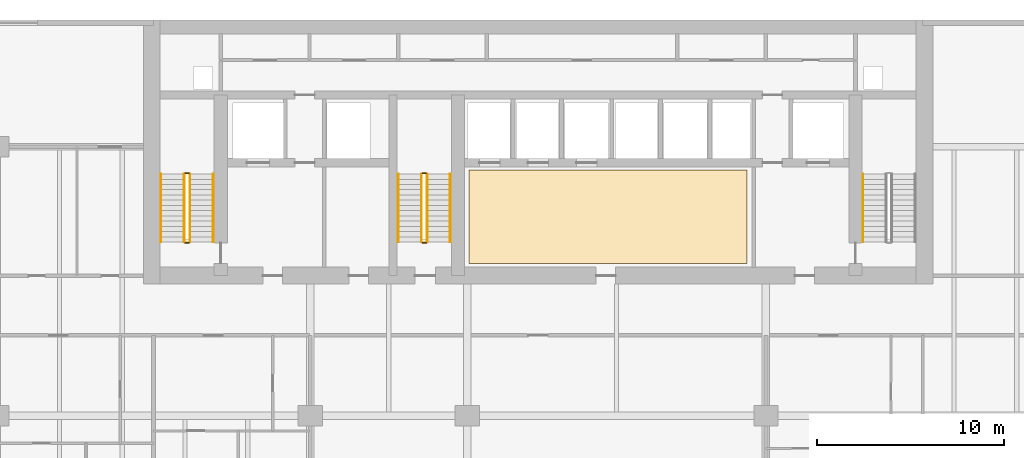
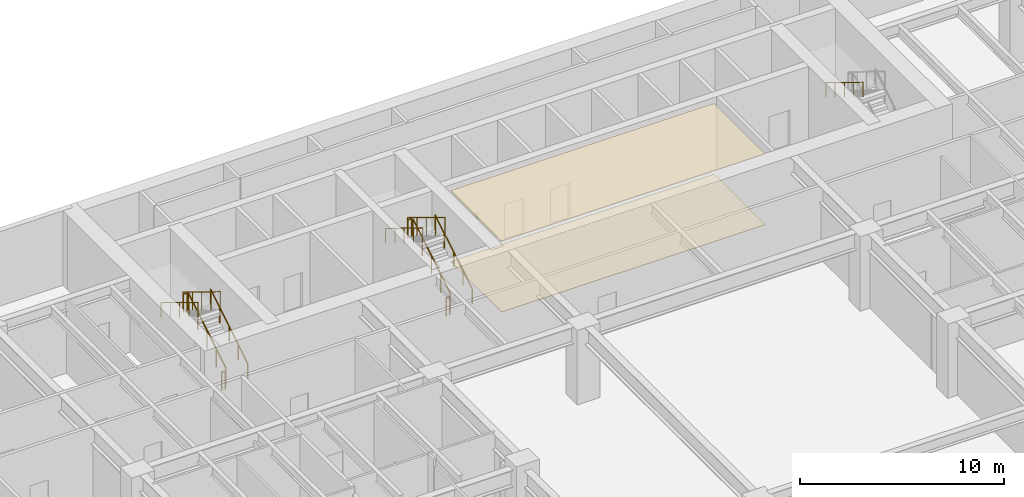
# One storey, part 12 of 13: 13 railings, 2 coverings.
"""IFC4 building model written with IfcOpenShell, lengths in metres."""

from ifc_helpers import new_model, si_unit, direction, frame, origin, origin_2d, place, context, subcontext, project, spatial, polyline, circle, outline, extrude, material, layer, layer_set, type_object, element, save


model = new_model("IFC4")

# Units and contexts
model_context = context("Model", 3, precision=1e-05, world=origin(), true_north=direction((0.0, 1.0)))
body_context = subcontext(model_context, "Body", "Model", "MODEL_VIEW")
ifc_project = project(units=[si_unit("LENGTHUNIT", "METRE"), si_unit("AREAUNIT", "SQUARE_METRE"), si_unit("VOLUMEUNIT", "CUBIC_METRE"), si_unit("PLANEANGLEUNIT", "RADIAN"), si_unit("MASSUNIT", "GRAM", prefix="KILO")], contexts=[model_context])

# Site, building, storey
site_placement = place(None, origin())
site = spatial("IfcSite", under=ifc_project, at=site_placement, CompositionType="ELEMENT")
building_placement = place(site_placement, origin())
building = spatial("IfcBuilding", under=site, at=building_placement, Name="Caelmar Bay Residences", CompositionType="ELEMENT")
storey_placement = place(building_placement, frame((0.0, 0.0, 19.800048828125)))
storey = spatial("IfcBuildingStorey", under=building, at=storey_placement, Name="L04", CompositionType="ELEMENT", Elevation=19.800048828125)

# Coverings
ifc_material_1 = material(Name="Perforated acoustic gypsum-mineral ceiling tile 20 mm")
ifc_layer_1 = layer(ifc_material_1, 0.02001953125)
ifc_layer_set_1 = layer_set([ifc_layer_1], Name="Perforated acoustic gypsum-mineral ceiling tile 20 mm")
covering_type_1 = type_object("IfcCoveringType", Name="COV-CEIL-20", PredefinedType="CEILING", material=ifc_layer_set_1)
covering_1_placement = place(storey_placement, frame((0.0, 0.0, 4.22998046875)))
element("IfcCovering", 1, at=covering_1_placement, inside=storey, type_object=covering_type_1, Name="L04 Lift Lobby Acoustic Ceiling", PredefinedType="CEILING", context=body_context, shape_type="SweptSolid", body=[
    extrude(outline(polyline([(35.199951171875, 37.550048828125), (50.10009765625, 37.550048828125), (50.10009765625, 42.550048828125), (35.199951171875, 42.550048828125), (35.199951171875, 37.550048828125)])), origin(), (0.0, 0.0, 1.0), 0.02001953125),
])
ifc_material_2 = material(Name="Honed terrazzo and engineered white-oak flooring 20 mm")
ifc_layer_2 = layer(ifc_material_2, 0.02001953125)
ifc_layer_set_2 = layer_set([ifc_layer_2], Name="Honed terrazzo and engineered white-oak flooring 20 mm")
covering_type_2 = type_object("IfcCoveringType", Name="COV-FLR-20", PredefinedType="FLOORING", material=ifc_layer_set_2)
covering_2_placement = place(storey_placement, origin())
element("IfcCovering", 2, at=covering_2_placement, inside=storey, type_object=covering_type_2, Name="L04 Lift Lobby Terrazzo Flooring", PredefinedType="FLOORING", context=body_context, shape_type="SweptSolid", body=[
    extrude(outline(polyline([(35.199951171875, 37.550048828125), (50.10009765625, 37.550048828125), (50.10009765625, 42.550048828125), (35.199951171875, 42.550048828125), (35.199951171875, 37.550048828125)])), origin(), (0.0, 0.0, 1.0), 0.02001953125),
])

# Railings
ifc_material_3 = material(Name="Painted galvanized steel stair guard 1100 mm", Category="steel")
railing_type_1 = type_object("IfcRailingType", Name="RL-GRD-1100", PredefinedType="GUARDRAIL", material=ifc_material_3)
railing_1_placement = place(storey_placement, frame((20.25, 38.699951171875, 0.17138671875)))
element("IfcRailing", 3, at=railing_1_placement, inside=storey, type_object=railing_type_1, Name="L04 ST1 stair guard 1", PredefinedType="GUARDRAIL", context=body_context, shape_type="SweptSolid", body=[
    extrude(circle(Radius=0.02392578125, at=origin_2d()), frame((0.0, 0.0, 1.076171875), z_axis=(0.0, 0.852865859571, 0.52213008492), x_axis=(-1.0, 0.0, 0.0)), (0.0, 0.0, 1.0), 4.26806640625),
    extrude(circle(Radius=0.02099609375, at=origin_2d()), origin(), (0.0, 0.0, 1.0), 1.052001953125),
    extrude(circle(Radius=0.02099609375, at=origin_2d()), frame((0.0, 0.91015625, 0.55712890625)), (0.0, 0.0, 1.0), 1.052001953125),
    extrude(circle(Radius=0.02099609375, at=origin_2d()), frame((0.0, 1.820068359375, 1.1142578125)), (0.0, 0.0, 1.0), 1.052001953125),
    extrude(circle(Radius=0.02099609375, at=origin_2d()), frame((0.0, 2.72998046875, 1.67138671875)), (0.0, 0.0, 1.0), 1.052001953125),
    extrude(circle(Radius=0.02099609375, at=origin_2d()), frame((0.0, 3.64013671875, 2.228515625)), (0.0, 0.0, 1.0), 1.052001953125),
])
railing_2_placement = place(storey_placement, frame((20.199951171875, 42.389892578125, 2.39990234375)))
element("IfcRailing", 4, at=railing_2_placement, inside=storey, type_object=railing_type_1, Name="L04 ST1 stair guard 2", PredefinedType="GUARDRAIL", context=body_context, shape_type="SweptSolid", body=[
    extrude(circle(Radius=0.02392578125, at=origin_2d()), frame((0.0, 0.0, 1.076171875), z_axis=(-1.0, 0.0, 0.0), x_axis=(0.0, -1.0, 0.0)), (0.0, 0.0, 1.0), 0.199951171875),
    extrude(circle(Radius=0.02099609375, at=origin_2d()), origin(), (0.0, 0.0, 1.0), 1.052001953125),
    extrude(circle(Radius=0.02099609375, at=origin_2d()), frame((-0.199951171875, 0.0, 0.0)), (0.0, 0.0, 1.0), 1.052001953125),
])
railing_3_placement = place(storey_placement, frame((19.949951171875, 42.340087890625, 2.5712890625)))
element("IfcRailing", 5, at=railing_3_placement, inside=storey, type_object=railing_type_1, Name="L04 ST1 stair guard 3", PredefinedType="GUARDRAIL", context=body_context, shape_type="SweptSolid", body=[
    extrude(circle(Radius=0.02392578125, at=origin_2d()), frame((0.0, 0.0, 1.076171875), z_axis=(0.0, -0.852840387347, 0.522171689878), x_axis=(1.0, 0.0, 0.0)), (0.0, 0.0, 1.0), 4.268310546875),
    extrude(circle(Radius=0.02099609375, at=origin_2d()), origin(), (0.0, 0.0, 1.0), 1.052001953125),
    extrude(circle(Radius=0.02099609375, at=origin_2d()), frame((0.0, -0.91015625, 0.55712890625)), (0.0, 0.0, 1.0), 1.052001953125),
    extrude(circle(Radius=0.02099609375, at=origin_2d()), frame((0.0, -1.820068359375, 1.1142578125)), (0.0, 0.0, 1.0), 1.052001953125),
    extrude(circle(Radius=0.02099609375, at=origin_2d()), frame((0.0, -2.72998046875, 1.671630859375)), (0.0, 0.0, 1.0), 1.052001953125),
    extrude(circle(Radius=0.02099609375, at=origin_2d()), frame((0.0, -3.64013671875, 2.228759765625)), (0.0, 0.0, 1.0), 1.052001953125),
])
railing_4_placement = place(storey_placement, frame((20.199951171875, 38.64990234375, 0.0)))
element("IfcRailing", 6, at=railing_4_placement, inside=storey, type_object=railing_type_1, Name="L04 ST1 stair guard 4", PredefinedType="GUARDRAIL", context=body_context, shape_type="SweptSolid", body=[
    extrude(circle(Radius=0.02392578125, at=origin_2d()), frame((0.0, 0.0, 1.076171875), z_axis=(-1.0, 0.0, 0.0), x_axis=(0.0, -1.0, 0.0)), (0.0, 0.0, 1.0), 0.199951171875),
    extrude(circle(Radius=0.02099609375, at=origin_2d()), origin(), (0.0, 0.0, 1.0), 1.052001953125),
    extrude(circle(Radius=0.02099609375, at=origin_2d()), frame((-0.199951171875, 0.0, 0.0)), (0.0, 0.0, 1.0), 1.052001953125),
])
railing_5_placement = place(storey_placement, frame((32.949951171875, 38.699951171875, 0.17138671875)))
element("IfcRailing", 7, at=railing_5_placement, inside=storey, type_object=railing_type_1, Name="L04 ST3 stair guard 1", PredefinedType="GUARDRAIL", context=body_context, shape_type="SweptSolid", body=[
    extrude(circle(Radius=0.02392578125, at=origin_2d()), frame((0.0, 0.0, 1.076171875), z_axis=(0.0, 0.852865859571, 0.52213008492), x_axis=(-1.0, 0.0, 0.0)), (0.0, 0.0, 1.0), 4.26806640625),
    extrude(circle(Radius=0.02099609375, at=origin_2d()), origin(), (0.0, 0.0, 1.0), 1.052001953125),
    extrude(circle(Radius=0.02099609375, at=origin_2d()), frame((0.0, 0.91015625, 0.55712890625)), (0.0, 0.0, 1.0), 1.052001953125),
    extrude(circle(Radius=0.02099609375, at=origin_2d()), frame((0.0, 1.820068359375, 1.1142578125)), (0.0, 0.0, 1.0), 1.052001953125),
    extrude(circle(Radius=0.02099609375, at=origin_2d()), frame((0.0, 2.72998046875, 1.67138671875)), (0.0, 0.0, 1.0), 1.052001953125),
    extrude(circle(Radius=0.02099609375, at=origin_2d()), frame((0.0, 3.64013671875, 2.228515625)), (0.0, 0.0, 1.0), 1.052001953125),
])
railing_6_placement = place(storey_placement, frame((32.89990234375, 42.389892578125, 2.39990234375)))
element("IfcRailing", 8, at=railing_6_placement, inside=storey, type_object=railing_type_1, Name="L04 ST3 stair guard 2", PredefinedType="GUARDRAIL", context=body_context, shape_type="SweptSolid", body=[
    extrude(circle(Radius=0.02392578125, at=origin_2d()), frame((0.0, 0.0, 1.076171875), z_axis=(-1.0, 0.0, 0.0), x_axis=(0.0, -1.0, 0.0)), (0.0, 0.0, 1.0), 0.199951171875),
    extrude(circle(Radius=0.02099609375, at=origin_2d()), origin(), (0.0, 0.0, 1.0), 1.052001953125),
    extrude(circle(Radius=0.02099609375, at=origin_2d()), frame((-0.199951171875, 0.0, 0.0)), (0.0, 0.0, 1.0), 1.052001953125),
])
railing_7_placement = place(storey_placement, frame((32.64990234375, 42.340087890625, 2.5712890625)))
element("IfcRailing", 9, at=railing_7_placement, inside=storey, type_object=railing_type_1, Name="L04 ST3 stair guard 3", PredefinedType="GUARDRAIL", context=body_context, shape_type="SweptSolid", body=[
    extrude(circle(Radius=0.02392578125, at=origin_2d()), frame((0.0, 0.0, 1.076171875), z_axis=(0.0, -0.852840387347, 0.522171689878), x_axis=(1.0, 0.0, 0.0)), (0.0, 0.0, 1.0), 4.268310546875),
    extrude(circle(Radius=0.02099609375, at=origin_2d()), origin(), (0.0, 0.0, 1.0), 1.052001953125),
    extrude(circle(Radius=0.02099609375, at=origin_2d()), frame((0.0, -0.91015625, 0.55712890625)), (0.0, 0.0, 1.0), 1.052001953125),
    extrude(circle(Radius=0.02099609375, at=origin_2d()), frame((0.0, -1.820068359375, 1.1142578125)), (0.0, 0.0, 1.0), 1.052001953125),
    extrude(circle(Radius=0.02099609375, at=origin_2d()), frame((0.0, -2.72998046875, 1.671630859375)), (0.0, 0.0, 1.0), 1.052001953125),
    extrude(circle(Radius=0.02099609375, at=origin_2d()), frame((0.0, -3.64013671875, 2.228759765625)), (0.0, 0.0, 1.0), 1.052001953125),
])
railing_8_placement = place(storey_placement, frame((32.89990234375, 38.64990234375, 0.0)))
element("IfcRailing", 10, at=railing_8_placement, inside=storey, type_object=railing_type_1, Name="L04 ST3 stair guard 4", PredefinedType="GUARDRAIL", context=body_context, shape_type="SweptSolid", body=[
    extrude(circle(Radius=0.02392578125, at=origin_2d()), frame((0.0, 0.0, 1.076171875), z_axis=(-1.0, 0.0, 0.0), x_axis=(0.0, -1.0, 0.0)), (0.0, 0.0, 1.0), 0.199951171875),
    extrude(circle(Radius=0.02099609375, at=origin_2d()), origin(), (0.0, 0.0, 1.0), 1.052001953125),
    extrude(circle(Radius=0.02099609375, at=origin_2d()), frame((-0.199951171875, 0.0, 0.0)), (0.0, 0.0, 1.0), 1.052001953125),
])
ifc_material_4 = material(Name="Brushed bronze stainless-steel tubular handrail 900 mm", Category="steel")
railing_type_2 = type_object("IfcRailingType", Name="RL-HND-900", PredefinedType="HANDRAIL", material=ifc_material_4)
railing_9_placement = place(storey_placement, frame((21.5, 38.699951171875, 0.17138671875)))
element("IfcRailing", 11, at=railing_9_placement, inside=storey, type_object=railing_type_2, Name="L04 ST1 stair handrail 1", PredefinedType="HANDRAIL", context=body_context, shape_type="SweptSolid", body=[
    extrude(circle(Radius=0.02392578125, at=origin_2d()), frame((0.0, 0.0, 0.8759765625), z_axis=(0.0, 0.852865859571, 0.52213008492), x_axis=(-1.0, 0.0, 0.0)), (0.0, 0.0, 1.0), 4.26806640625),
    extrude(circle(Radius=0.02099609375, at=origin_2d()), origin(), (0.0, 0.0, 1.0), 0.851806640625),
    extrude(circle(Radius=0.02099609375, at=origin_2d()), frame((0.0, 0.91015625, 0.55712890625)), (0.0, 0.0, 1.0), 0.851806640625),
    extrude(circle(Radius=0.02099609375, at=origin_2d()), frame((0.0, 1.820068359375, 1.1142578125)), (0.0, 0.0, 1.0), 0.851806640625),
    extrude(circle(Radius=0.02099609375, at=origin_2d()), frame((0.0, 2.72998046875, 1.67138671875)), (0.0, 0.0, 1.0), 0.851806640625),
    extrude(circle(Radius=0.02099609375, at=origin_2d()), frame((0.0, 3.64013671875, 2.228515625)), (0.0, 0.0, 1.0), 0.851806640625),
])
for number, where, name in (
    (12, (18.699951171875, 42.340087890625, 2.5712890625), "L04 ST1 stair handrail 2"),
    (13, (56.300048828125, 42.340087890625, 2.5712890625), "L04 ST2 stair handrail 2"),
):
    element("IfcRailing", number, at=place(storey_placement, frame(where)), inside=storey, type_object=railing_type_2, Name=name, PredefinedType="HANDRAIL", context=body_context, shape_type="SweptSolid", body=[
        extrude(circle(Radius=0.02392578125, at=origin_2d()), frame((0.0, 0.0, 0.8759765625), z_axis=(0.0, -0.852840387347, 0.522171689878), x_axis=(1.0, 0.0, 0.0)), (0.0, 0.0, 1.0), 4.268310546875),
        extrude(circle(Radius=0.02099609375, at=origin_2d()), origin(), (0.0, 0.0, 1.0), 0.851806640625),
        extrude(circle(Radius=0.02099609375, at=origin_2d()), frame((0.0, -0.91015625, 0.55712890625)), (0.0, 0.0, 1.0), 0.851806640625),
        extrude(circle(Radius=0.02099609375, at=origin_2d()), frame((0.0, -1.820068359375, 1.1142578125)), (0.0, 0.0, 1.0), 0.851806640625),
        extrude(circle(Radius=0.02099609375, at=origin_2d()), frame((0.0, -2.72998046875, 1.671630859375)), (0.0, 0.0, 1.0), 0.851806640625),
        extrude(circle(Radius=0.02099609375, at=origin_2d()), frame((0.0, -3.64013671875, 2.228759765625)), (0.0, 0.0, 1.0), 0.851806640625),
    ])
railing_10_placement = place(storey_placement, frame((34.199951171875, 38.699951171875, 0.17138671875)))
element("IfcRailing", 14, at=railing_10_placement, inside=storey, type_object=railing_type_2, Name="L04 ST3 stair handrail 1", PredefinedType="HANDRAIL", context=body_context, shape_type="SweptSolid", body=[
    extrude(circle(Radius=0.02392578125, at=origin_2d()), frame((0.0, 0.0, 0.8759765625), z_axis=(0.0, 0.852865859571, 0.52213008492), x_axis=(-1.0, 0.0, 0.0)), (0.0, 0.0, 1.0), 4.26806640625),
    extrude(circle(Radius=0.02099609375, at=origin_2d()), origin(), (0.0, 0.0, 1.0), 0.851806640625),
    extrude(circle(Radius=0.02099609375, at=origin_2d()), frame((0.0, 0.91015625, 0.55712890625)), (0.0, 0.0, 1.0), 0.851806640625),
    extrude(circle(Radius=0.02099609375, at=origin_2d()), frame((0.0, 1.820068359375, 1.1142578125)), (0.0, 0.0, 1.0), 0.851806640625),
    extrude(circle(Radius=0.02099609375, at=origin_2d()), frame((0.0, 2.72998046875, 1.67138671875)), (0.0, 0.0, 1.0), 0.851806640625),
    extrude(circle(Radius=0.02099609375, at=origin_2d()), frame((0.0, 3.64013671875, 2.228515625)), (0.0, 0.0, 1.0), 0.851806640625),
])
railing_11_placement = place(storey_placement, frame((31.39990234375, 42.340087890625, 2.5712890625)))
element("IfcRailing", 15, at=railing_11_placement, inside=storey, type_object=railing_type_2, Name="L04 ST3 stair handrail 2", PredefinedType="HANDRAIL", context=body_context, shape_type="SweptSolid", body=[
    extrude(circle(Radius=0.02392578125, at=origin_2d()), frame((0.0, 0.0, 0.8759765625), z_axis=(0.0, -0.852840387347, 0.522171689878), x_axis=(1.0, 0.0, 0.0)), (0.0, 0.0, 1.0), 4.268310546875),
    extrude(circle(Radius=0.02099609375, at=origin_2d()), origin(), (0.0, 0.0, 1.0), 0.851806640625),
    extrude(circle(Radius=0.02099609375, at=origin_2d()), frame((0.0, -0.91015625, 0.55712890625)), (0.0, 0.0, 1.0), 0.851806640625),
    extrude(circle(Radius=0.02099609375, at=origin_2d()), frame((0.0, -1.820068359375, 1.1142578125)), (0.0, 0.0, 1.0), 0.851806640625),
    extrude(circle(Radius=0.02099609375, at=origin_2d()), frame((0.0, -2.72998046875, 1.671630859375)), (0.0, 0.0, 1.0), 0.851806640625),
    extrude(circle(Radius=0.02099609375, at=origin_2d()), frame((0.0, -3.64013671875, 2.228759765625)), (0.0, 0.0, 1.0), 0.851806640625),
])

save(model, "model.ifc")
